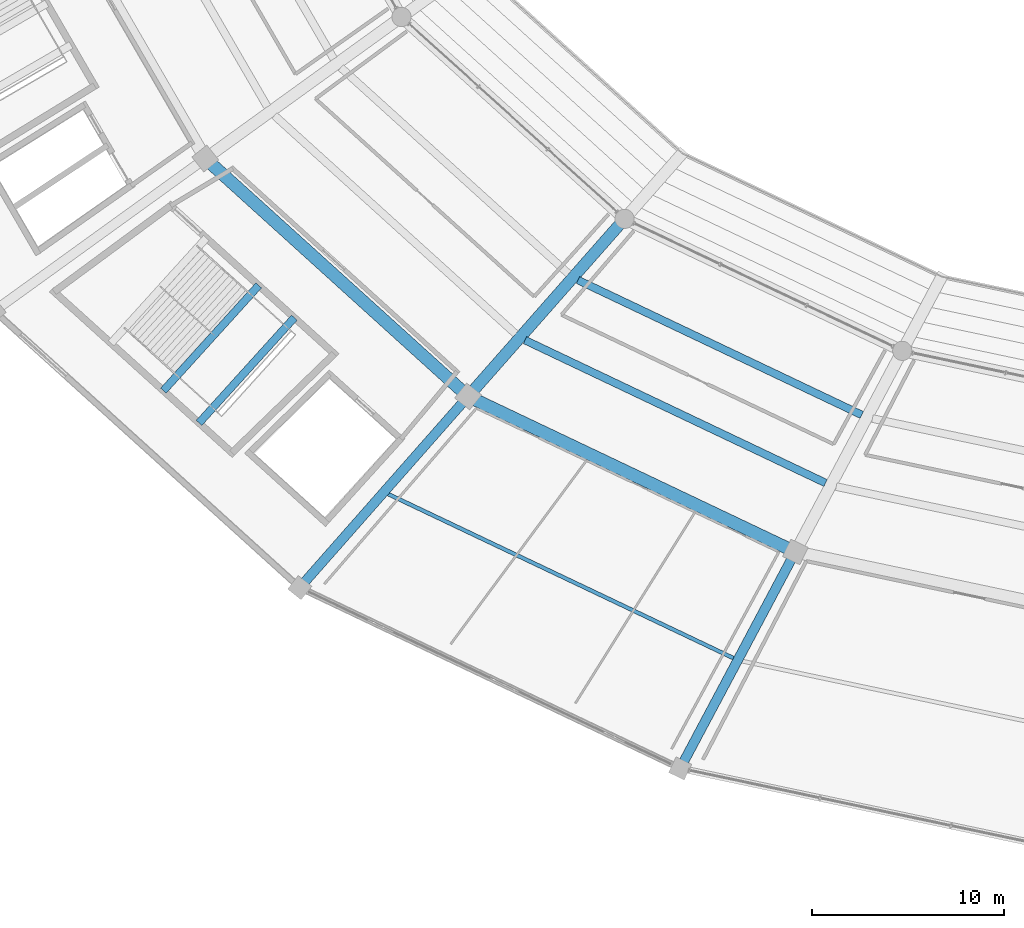
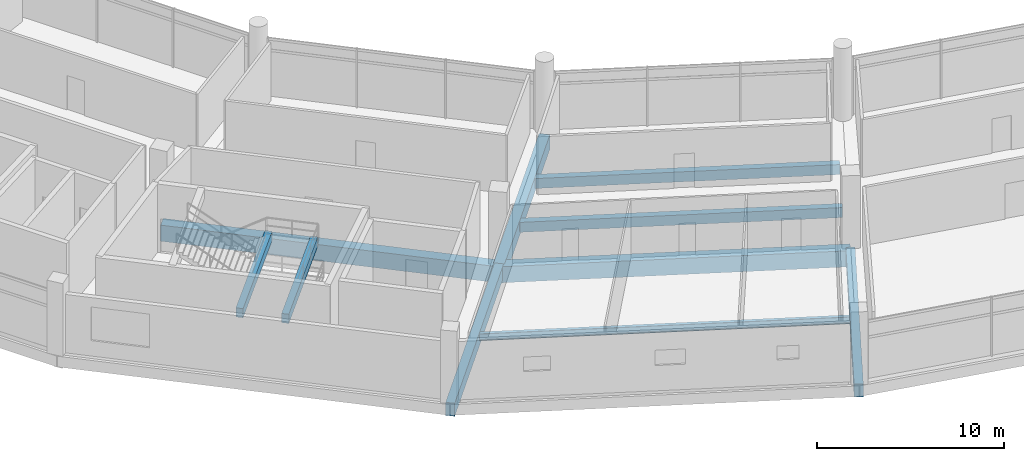
# One storey, part 5 of 171: 10 beams.
"""IFC4 building model written with IfcOpenShell, lengths in metres."""

from ifc_helpers import new_model, si_unit, direction, frame, origin, origin_2d, place, context, subcontext, project, spatial, rectangle, i_section, extrude, material, material_profile, profile_set, type_object, element, save


model = new_model("IFC4")

# Units and contexts
model_context = context("Model", 3, precision=1e-05, world=origin(), true_north=direction((0.0, 1.0)))
body_context = subcontext(model_context, "Body", "Model", "MODEL_VIEW")
ifc_project = project(units=[si_unit("LENGTHUNIT", "METRE"), si_unit("AREAUNIT", "SQUARE_METRE"), si_unit("VOLUMEUNIT", "CUBIC_METRE"), si_unit("PLANEANGLEUNIT", "RADIAN"), si_unit("MASSUNIT", "GRAM", prefix="KILO")], contexts=[model_context])

# Site, building, storey
site_placement = place(None, origin())
site = spatial("IfcSite", under=ifc_project, at=site_placement, CompositionType="ELEMENT")
building_placement = place(site_placement, origin())
building = spatial("IfcBuilding", under=site, at=building_placement, Name="Kazemori Nagisa Stadium", CompositionType="ELEMENT")
storey_placement = place(building_placement, frame((0.0, 0.0, 15.639892578125)))
storey = spatial("IfcBuildingStorey", under=building, at=storey_placement, Name="L03", CompositionType="ELEMENT", Elevation=15.639892578125)

# Beams
ifc_material_1 = material(Name="Concrete C40/50 (Fc42)", Category="concrete")
ifc_material_profile_1 = material_profile(ifc_material_1, rectangle(XDim=0.39990234375, YDim=0.60009765625, at=origin_2d()), Name="RC-BM-400x600")
ifc_profile_set_1 = profile_set([ifc_material_profile_1], Name="Concrete C40/50 (Fc42)")
beam_type_1 = type_object("IfcBeamType", Name="Beam_BG-LND400X600", PredefinedType="BEAM", material=ifc_profile_set_1)
for number, where, z_axis, x_axis, name in (
    (1, (58.27001953125, 46.66552734375, 1.880126953125), (-0.671113236271, -0.74135485707, 0.0), (0.74135485707, -0.671113236271, 0.0), "Core stair mid-landing girder ST03-L03-1"),
    (2, (60.123291015625, 44.98779296875, 1.880126953125), (-0.671113236271, -0.74135485707, 0.0), (0.74135485707, -0.671113236271, 0.0), "Core stair mid-landing girder ST03-L03-2"),
):
    element("IfcBeam", number, at=place(storey_placement, frame(where, z_axis=z_axis, x_axis=x_axis)), inside=storey, type_object=beam_type_1, Name=name, PredefinedType="BEAM", context=body_context, shape_type="SweptSolid", body=[
        extrude(rectangle(XDim=0.39990234375, YDim=0.60009765625, at=origin_2d()), origin(), (0.0, 0.0, 1.0), 7.385986328125),
    ])
ifc_material_profile_2 = material_profile(ifc_material_1, rectangle(XDim=0.5, YDim=0.85009765625, at=origin_2d()), Name="RC-BM-500x850")
ifc_profile_set_2 = profile_set([ifc_material_profile_2], Name="Concrete C40/50 (Fc42)")
beam_type_2 = type_object("IfcBeamType", Name="Beam_BG-RC500X850", PredefinedType="BEAM", material=ifc_profile_set_2)
beam_1_placement = place(storey_placement, frame((69.165771484375, 40.88916015625, -0.684814453125), z_axis=(-0.661019680997, -0.750368563664, 0.0), x_axis=(0.750368563664, -0.661019680997, 0.0)))
element("IfcBeam", 3, at=beam_1_placement, inside=storey, type_object=beam_type_2, Name="Radial girder BG-RC500X850 L03 R2-R3-19", PredefinedType="BEAM", context=body_context, shape_type="SweptSolid", body=[
    extrude(rectangle(XDim=0.5, YDim=0.85009765625, at=origin_2d()), origin(), (0.0, 0.0, 1.0), 13.2578125),
])
beam_2_placement = place(storey_placement, frame((86.18798828125, 32.80078125, -0.684814453125), z_axis=(-0.469648511848, -0.882853484628, 0.0), x_axis=(0.882853484628, -0.469648511848, 0.0)))
element("IfcBeam", 4, at=beam_2_placement, inside=storey, type_object=beam_type_2, Name="Radial girder BG-RC500X850 L03 R2-R3-20", PredefinedType="BEAM", context=body_context, shape_type="SweptSolid", body=[
    extrude(rectangle(XDim=0.5, YDim=0.85009765625, at=origin_2d()), origin(), (0.0, 0.0, 1.0), 12.760009765625),
])
ifc_material_profile_3 = material_profile(ifc_material_1, rectangle(XDim=0.60009765625, YDim=0.949951171875, at=origin_2d()), Name="RC-BM-600x950")
ifc_profile_set_3 = profile_set([ifc_material_profile_3], Name="Concrete C40/50 (Fc42)")
beam_type_3 = type_object("IfcBeamType", Name="Beam_BG-RC600X950", PredefinedType="BEAM", material=ifc_profile_set_3)
beam_3_placement = place(storey_placement, frame((77.303466796875, 50.126953125, -0.73486328125), z_axis=(-0.66101406015, -0.75037351518, 0.0), x_axis=(0.75037351518, -0.66101406015, 0.0)))
element("IfcBeam", 5, at=beam_3_placement, inside=storey, type_object=beam_type_3, Name="Radial girder BG-RC600X950 L03 R1-R2-19", PredefinedType="BEAM", context=body_context, shape_type="SweptSolid", body=[
    extrude(rectangle(XDim=0.60009765625, YDim=0.949951171875, at=origin_2d()), origin(), (0.0, 0.0, 1.0), 12.31103515625),
])
ifc_material_profile_4 = material_profile(ifc_material_1, rectangle(XDim=0.64990234375, YDim=1.050048828125, at=origin_2d()), Name="RC-BM-650x1050")
ifc_profile_set_4 = profile_set([ifc_material_profile_4], Name="Concrete C40/50 (Fc42)")
beam_type_4 = type_object("IfcBeamType", Name="Beam_BG-RC650X1050", PredefinedType="BEAM", material=ifc_profile_set_4)
beam_4_placement = place(storey_placement, frame((55.493896484375, 53.265869140625, -0.784912109375), z_axis=(0.741349142139, -0.671119549298, 0.0), x_axis=(0.671119549298, 0.741349142139, 0.0)))
element("IfcBeam", 6, at=beam_4_placement, inside=storey, type_object=beam_type_4, Name="Ring girder BG-RC650X1050 L03 R2-18", PredefinedType="BEAM", context=body_context, shape_type="SweptSolid", body=[
    extrude(rectangle(XDim=0.64990234375, YDim=1.050048828125, at=origin_2d()), origin(), (0.0, 0.0, 1.0), 18.44189453125),
])
beam_5_placement = place(storey_placement, frame((69.165771484375, 40.88916015625, -0.784912109375), z_axis=(0.90321938295, -0.42917915404, 0.0), x_axis=(0.42917915404, 0.90321938295, 0.0)))
element("IfcBeam", 7, at=beam_5_placement, inside=storey, type_object=beam_type_4, Name="Ring girder BG-RC650X1050 L03 R2-19", PredefinedType="BEAM", context=body_context, shape_type="SweptSolid", body=[
    extrude(rectangle(XDim=0.64990234375, YDim=1.050048828125, at=origin_2d()), origin(), (0.0, 0.0, 1.0), 18.84619140625),
])
ifc_material_2 = material(Name="Steel SN490B", Category="steel")
ifc_material_profile_5 = material_profile(ifc_material_2, i_section(OverallWidth=0.199951171875, OverallDepth=0.449951171875, WebThickness=0.009033203125, FlangeThickness=0.013916015625, FilletRadius=0.012939453125, at=origin_2d()), Name="H-450x200x9x14")
ifc_profile_set_5 = profile_set([ifc_material_profile_5], Name="Steel SN490B")
beam_type_5 = type_object("IfcBeamType", Name="Beam_BJ-H450", PredefinedType="JOIST", material=ifc_profile_set_5)
beam_6_placement = place(storey_placement, frame((65.005126953125, 35.81005859375, -0.48486328125), z_axis=(0.903215058486, -0.429188254876, 0.0), x_axis=(0.429188254876, 0.903215058486, 0.0)))
element("IfcBeam", 8, at=beam_6_placement, inside=storey, type_object=beam_type_5, Name="Outer bay joist BJ-H450 L03 B19", PredefinedType="JOIST", context=body_context, shape_type="SweptSolid", body=[
    extrude(i_section(OverallWidth=0.199951171875, OverallDepth=0.449951171875, WebThickness=0.009033203125, FlangeThickness=0.013916015625, FilletRadius=0.012939453125, at=origin_2d()), origin(), (0.0, 0.0, 1.0), 19.89013671875),
])
ifc_material_profile_6 = material_profile(ifc_material_1, rectangle(XDim=0.39990234375, YDim=0.64990234375, at=origin_2d()), Name="RC-BM-400x650")
ifc_profile_set_6 = profile_set([ifc_material_profile_6], Name="Concrete C40/50 (Fc42)")
beam_type_6 = type_object("IfcBeamType", Name="Beam_BJ-RC400X650", PredefinedType="JOIST", material=ifc_profile_set_6)
beam_7_placement = place(storey_placement, frame((74.878173828125, 46.94482421875, -0.5849609375), z_axis=(0.903215717065, -0.429186868912, 0.0), x_axis=(0.429186868912, 0.903215717065, 0.0)))
element("IfcBeam", 9, at=beam_7_placement, inside=storey, type_object=beam_type_6, Name="Concourse joist BJ-RC400X650 L03 B19-1", PredefinedType="JOIST", context=body_context, shape_type="SweptSolid", body=[
    extrude(rectangle(XDim=0.39990234375, YDim=0.64990234375, at=origin_2d()), origin(), (0.0, 0.0, 1.0), 16.349609375),
])
beam_8_placement = place(storey_placement, frame((72.1240234375, 43.818115234375, -0.5849609375), z_axis=(0.903215468459, -0.429187392099, 0.0), x_axis=(0.429187392099, 0.903215468459, 0.0)))
element("IfcBeam", 10, at=beam_8_placement, inside=storey, type_object=beam_type_6, Name="Concourse joist BJ-RC400X650 L03 B19-2", PredefinedType="JOIST", context=body_context, shape_type="SweptSolid", body=[
    extrude(rectangle(XDim=0.39990234375, YDim=0.64990234375, at=origin_2d()), origin(), (0.0, 0.0, 1.0), 17.31396484375),
])

save(model, "model.ifc")
